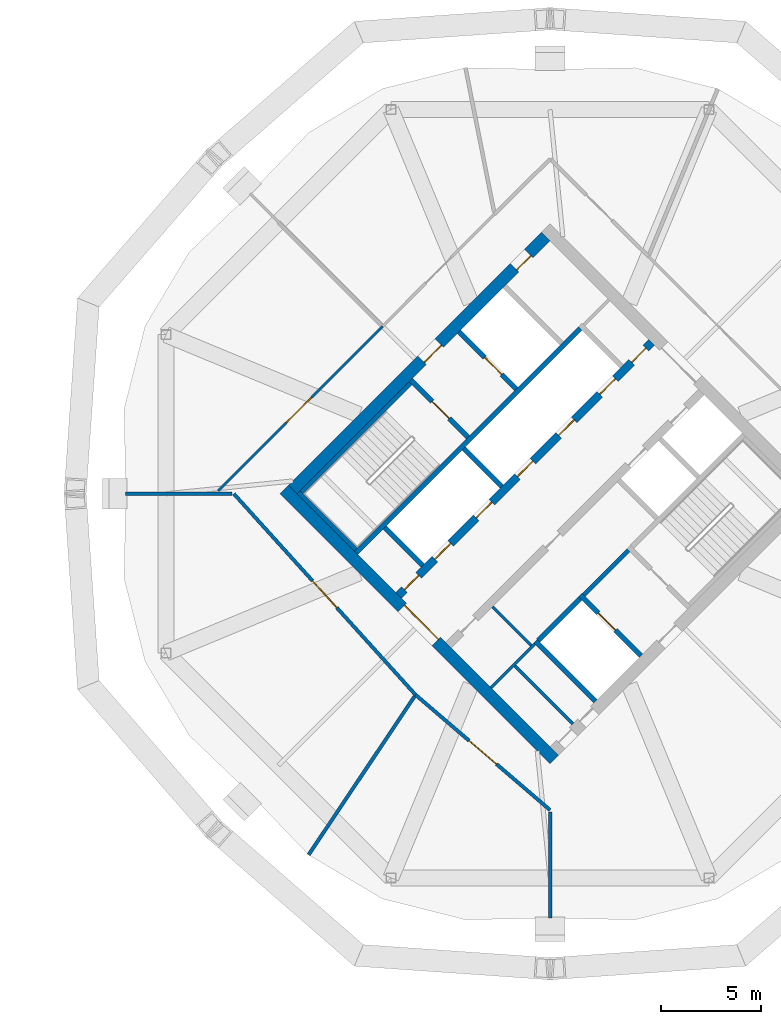
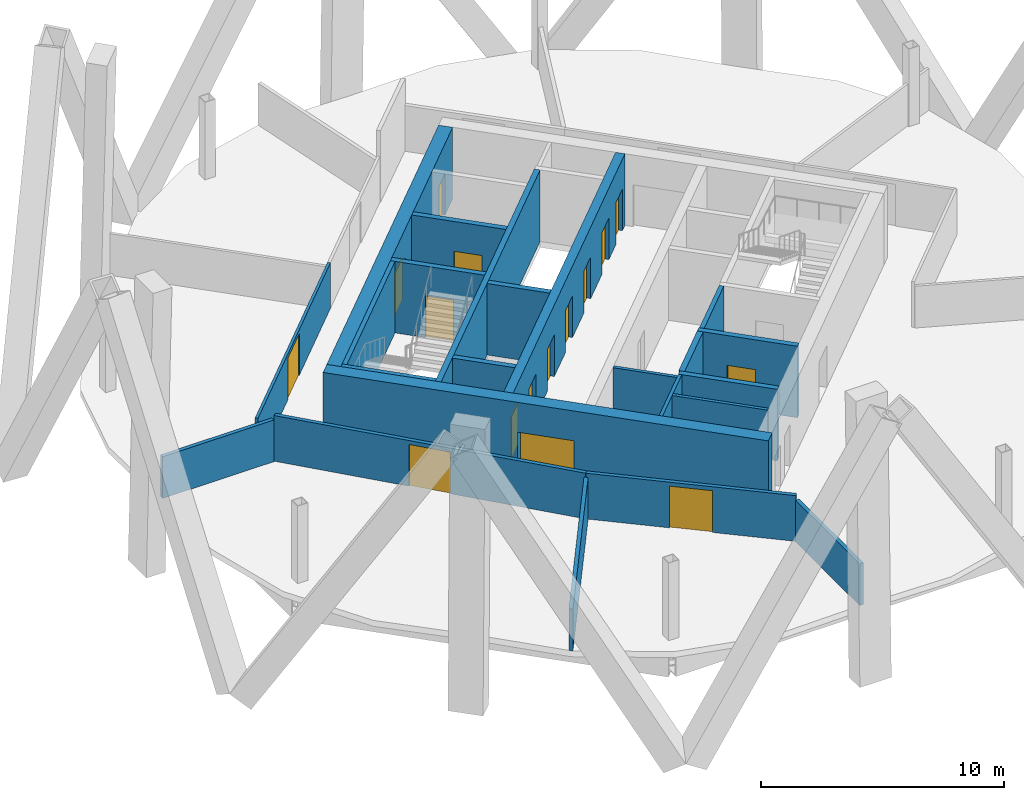
# One storey, part 6 of 10: 23 walls, 16 doors, 16 openings.
"""IFC4 building model written with IfcOpenShell, lengths in metres."""

from ifc_helpers import new_model, si_unit, direction, frame, frame_2d, origin, place, context, subcontext, project, spatial, rectangle, extrude, material, layer, layer_set, type_object, element, fill, save


model = new_model("IFC4")

# Units and contexts
model_context = context("Model", 3, precision=1e-05, world=origin(), true_north=direction((0.0, 1.0)))
body_context = subcontext(model_context, "Body", "Model", "MODEL_VIEW")
ifc_project = project(units=[si_unit("LENGTHUNIT", "METRE"), si_unit("AREAUNIT", "SQUARE_METRE"), si_unit("VOLUMEUNIT", "CUBIC_METRE"), si_unit("PLANEANGLEUNIT", "RADIAN"), si_unit("MASSUNIT", "GRAM", prefix="KILO")], contexts=[model_context])

# Site, building, storey
site_placement = place(None, origin())
site = spatial("IfcSite", under=ifc_project, at=site_placement, CompositionType="ELEMENT")
building_placement = place(site_placement, origin())
building = spatial("IfcBuilding", under=site, at=building_placement, Name="Ogive Gate Towers", CompositionType="ELEMENT")
storey_placement = place(building_placement, frame((0.0, 0.0, 204.60009765625)))
storey = spatial("IfcBuildingStorey", under=building, at=storey_placement, Name="L49", CompositionType="ELEMENT", Elevation=204.60009765625)

# Walls
ifc_material_1 = material(Name="Gypsum board acoustic partition")
ifc_layer_1 = layer(ifc_material_1, 0.175048828125)
ifc_layer_set_1 = layer_set([ifc_layer_1], Name="Acoustic partition 175")
wall_type_1 = type_object("IfcWallType", Name="Acoustic partition 175", PredefinedType="PARTITIONING", material=ifc_layer_set_1)
wall_1_placement = place(storey_placement, frame((14.881103515625, 0.0, 0.0), z_axis=(0.0, 0.0, 1.0), x_axis=(1.0, 0.0, 0.0)))
element("IfcWall", 1, at=wall_1_placement, inside=storey, type_object=wall_type_1, Name="Partition T2-L49-005", PredefinedType="PARTITIONING", context=body_context, shape_type="SweptSolid", body=[
    extrude(rectangle(XDim=5.29150390625, YDim=0.175048828125, at=frame_2d((2.645751953125, 0.0))), origin(), (0.0, 0.0, 1.0), 2.099853515625),
])
wall_2_placement = place(storey_placement, frame((23.98193359375, -17.971435546875, 0.0), z_axis=(0.0, 0.0, 1.0), x_axis=(0.555898649946, 0.831250077286, 0.0)))
element("IfcWall", 2, at=wall_2_placement, inside=storey, type_object=wall_type_1, Name="Partition T2-L49-006", PredefinedType="PARTITIONING", context=body_context, shape_type="SweptSolid", body=[
    extrude(rectangle(XDim=9.49169921875, YDim=0.175048828125, at=frame_2d((4.745849609375, 0.0))), origin(), (0.0, 0.0, 1.0), 2.099853515625),
])
wall_3_placement = place(storey_placement, frame((36.0, -21.118896484375, 0.0), z_axis=(0.0, 0.0, 1.0), x_axis=(0.0, 1.0, 0.0)))
element("IfcWall", 3, at=wall_3_placement, inside=storey, type_object=wall_type_1, Name="Partition T2-L49-007", PredefinedType="PARTITIONING", context=body_context, shape_type="SweptSolid", body=[
    extrude(rectangle(XDim=5.29150390625, YDim=0.175048828125, at=frame_2d((2.645751953125, 0.0))), origin(), (0.0, 0.0, 1.0), 2.099853515625),
])

# Wall, opening, door
wall_4_placement = place(storey_placement, frame((29.306884765625, -10.0087890625, 0.0), z_axis=(0.0, 0.0, 1.0), x_axis=(0.759579210601, -0.650414808275, 0.0)))
wall_4 = element("IfcWall", 4, at=wall_4_placement, inside=storey, type_object=wall_type_1, Name="Partition T2-L49-009", PredefinedType="PARTITIONING", context=body_context, shape_type="SweptSolid", body=[
    extrude(rectangle(XDim=8.8115234375, YDim=0.175048828125, at=frame_2d((4.40576171875, 0.0))), origin(), (0.0, 0.0, 1.0), 2.2998046875),
])
opening_1_placement = place(wall_4_placement, frame((3.506103515625, 0.0, 0.0)))
opening_1 = element("IfcOpeningElement", 5, at=opening_1_placement, cuts=wall_4, Name="Opening T2-L49-D01", PredefinedType="OPENING", context=body_context, shape_type="SweptSolid", body=[
    extrude(rectangle(XDim=1.800048828125, YDim=2.10009765625, at=frame_2d((0.89990234375, 1.050048828125))), frame((0.0, 0.09765625, 0.0), z_axis=(0.0, -1.0, 0.0), x_axis=(1.0, 0.0, 0.0)), (0.0, 0.0, 1.0), 0.195068359375),
])
ifc_material_2 = material(Name="Timber door", Category="wood")
door_type_1 = type_object("IfcDoorType", Name="Door pair 1800", OperationType="NOTDEFINED", PredefinedType="DOOR", material=ifc_material_2)
door_1_placement = place(opening_1_placement, origin())
door_1 = element("IfcDoor", 6, at=door_1_placement, inside=storey, type_object=door_type_1, Name="Door T2-L49-D01", OperationType="DOUBLE_DOOR_DOUBLE_SWING", OverallHeight=2.10009765625, OverallWidth=1.800048828125, PredefinedType="DOOR", context=body_context, shape_type="SweptSolid", body=[
    extrude(rectangle(XDim=1.800048828125, YDim=2.10009765625, at=frame_2d((0.89990234375, 1.050048828125))), frame((0.0, 0.02490234375, 0.0), z_axis=(0.0, -1.0, 0.0), x_axis=(1.0, 0.0, 0.0)), (0.0, 0.0, 1.0), 0.050048828125),
])
fill(opening_1, door_1)

wall_5_placement = place(storey_placement, frame((20.260009765625, 0.0, 0.0), z_axis=(0.0, 0.0, 1.0), x_axis=(0.670558821911, -0.741856365044, 0.0)))
wall_5 = element("IfcWall", 7, at=wall_5_placement, inside=storey, type_object=wall_type_1, Name="Partition T2-L49-017", PredefinedType="PARTITIONING", context=body_context, shape_type="SweptSolid", body=[
    extrude(rectangle(XDim=13.491455078125, YDim=0.175048828125, at=frame_2d((6.74560546875, 0.0))), origin(), (0.0, 0.0, 1.0), 2.2998046875),
])
opening_2_placement = place(wall_5_placement, frame((5.845947265625, 0.0, 0.0)))
opening_2 = element("IfcOpeningElement", 8, at=opening_2_placement, cuts=wall_5, Name="Opening T2-L49-D07", PredefinedType="OPENING", context=body_context, shape_type="SweptSolid", body=[
    extrude(rectangle(XDim=1.800048828125, YDim=2.10009765625, at=frame_2d((0.89990234375, 1.050048828125))), frame((0.0, 0.09765625, 0.0), z_axis=(0.0, -1.0, 0.0), x_axis=(1.0, 0.0, 0.0)), (0.0, 0.0, 1.0), 0.195068359375),
])
door_2_placement = place(opening_2_placement, origin())
door_2 = element("IfcDoor", 9, at=door_2_placement, inside=storey, type_object=door_type_1, Name="Door T2-L49-D07", OperationType="DOUBLE_DOOR_DOUBLE_SWING", OverallHeight=2.10009765625, OverallWidth=1.800048828125, PredefinedType="DOOR", context=body_context, shape_type="SweptSolid", body=[
    extrude(rectangle(XDim=1.800048828125, YDim=2.10009765625, at=frame_2d((0.89990234375, 1.050048828125))), frame((0.0, 0.02490234375, 0.0), z_axis=(0.0, -1.0, 0.0), x_axis=(1.0, 0.0, 0.0)), (0.0, 0.0, 1.0), 0.050048828125),
])
fill(opening_2, door_2)

# Wall
ifc_material_3 = material(Name="Masonry blockwork", Category="masonry")
ifc_layer_2 = layer(ifc_material_3, 0.199951171875)
ifc_layer_set_2 = layer_set([ifc_layer_2], Name="Blockwork wall 200 mm")
wall_type_2 = type_object("IfcWallType", Name="Blockwork wall 200 mm", PredefinedType="PARTITIONING", material=ifc_layer_set_2)
wall_6_placement = place(storey_placement, frame((37.679443359375, -5.0380859375, 0.0), z_axis=(0.0, 0.0, 1.0), x_axis=(0.707106781187, 0.707106781187, 0.0)))
element("IfcWall", 10, at=wall_6_placement, inside=storey, type_object=wall_type_2, Name="T2 L49 Blockwork wall 200 mm", PredefinedType="PARTITIONING", context=body_context, shape_type="SweptSolid", body=[
    extrude(rectangle(XDim=3.14990234375, YDim=0.199951171875, at=frame_2d((1.574951171875, 0.0))), origin(), (0.0, 0.0, 1.0), 3.599853515625),
])

# Wall, openings, doors
ifc_material_4 = material(Name="Concrete C60/75", Category="concrete")
ifc_layer_3 = layer(ifc_material_4, 0.60009765625)
ifc_layer_set_3 = layer_set([ifc_layer_3], Name="Core wall 600 mm")
wall_type_3 = type_object("IfcWallType", Name="Core wall 600 mm", PredefinedType="SHEAR", material=ifc_layer_set_3)
wall_7_placement = place(storey_placement, frame((23.201416015625, 0.212158203125, 0.0), z_axis=(0.0, 0.0, 1.0), x_axis=(0.707106781187, 0.707106781187, 0.0)))
wall_7 = element("IfcWall", 11, at=wall_7_placement, inside=storey, type_object=wall_type_3, Name="T2 L49 Core wall 600 mm", PredefinedType="SHEAR", context=body_context, shape_type="SweptSolid", body=[
    extrude(rectangle(XDim=17.7998046875, YDim=0.60009765625, at=frame_2d((8.89990234375, 0.0))), origin(), (0.0, 0.0, 1.0), 3.599853515625),
])
opening_3_placement = place(wall_7_placement, frame((9.10009765625, 0.0, 0.0)))
opening_3 = element("IfcOpeningElement", 12, at=opening_3_placement, cuts=wall_7, Name="Opening KD-T2-L49-18", PredefinedType="OPENING", context=body_context, shape_type="SweptSolid", body=[
    extrude(rectangle(XDim=1.199951171875, YDim=2.10009765625, at=frame_2d((0.60009765625, 1.050048828125))), frame((0.0, 0.31005859375, 0.0), z_axis=(0.0, -1.0, 0.0), x_axis=(1.0, 0.0, 0.0)), (0.0, 0.0, 1.0), 0.6201171875),
])
opening_4_placement = place(wall_7_placement, frame((15.60009765625, 0.0, 0.0)))
opening_4 = element("IfcOpeningElement", 13, at=opening_4_placement, cuts=wall_7, Name="Opening KD-T2-L49-20", PredefinedType="OPENING", context=body_context, shape_type="SweptSolid", body=[
    extrude(rectangle(XDim=1.0, YDim=2.10009765625, at=frame_2d((0.5, 1.050048828125))), frame((0.0, 0.31005859375, 0.0), z_axis=(0.0, -1.0, 0.0), x_axis=(1.0, 0.0, 0.0)), (0.0, 0.0, 1.0), 0.6201171875),
])
door_type_2 = type_object("IfcDoorType", Name="Accessible WC door 1000 x 2100", OperationType="NOTDEFINED", PredefinedType="DOOR", material=ifc_material_2)
door_3_placement = place(opening_4_placement, origin())
door_3 = element("IfcDoor", 14, at=door_3_placement, inside=storey, type_object=door_type_2, Name="T2 L49 Core door", OperationType="SINGLE_SWING_LEFT", OverallHeight=2.10009765625, OverallWidth=1.0, PredefinedType="DOOR", context=body_context, shape_type="SweptSolid", body=[
    extrude(rectangle(XDim=1.0, YDim=2.10009765625, at=frame_2d((0.5, 1.050048828125))), frame((0.0, -0.125, 0.0), z_axis=(0.0, -1.0, 0.0), x_axis=(1.0, 0.0, 0.0)), (0.0, 0.0, 1.0), 0.050048828125),
])
fill(opening_4, door_3)
ifc_material_5 = material(Name="Steel fire door", Category="steel")
door_type_3 = type_object("IfcDoorType", Name="Core door FD60S 1200 x 2100", OperationType="NOTDEFINED", PredefinedType="DOOR", material=ifc_material_5)
door_4_placement = place(opening_3_placement, origin())
door_4 = element("IfcDoor", 15, at=door_4_placement, inside=storey, type_object=door_type_3, Name="T2 L49 Fire-fighting lobby door", OperationType="SINGLE_SWING_LEFT", OverallHeight=2.10009765625, OverallWidth=1.199951171875, PredefinedType="DOOR", context=body_context, shape_type="SweptSolid", body=[
    extrude(rectangle(XDim=1.199951171875, YDim=2.10009765625, at=frame_2d((0.60009765625, 1.050048828125))), frame((0.0, -0.125, 0.0), z_axis=(0.0, -1.0, 0.0), x_axis=(1.0, 0.0, 0.0)), (0.0, 0.0, 1.0), 0.050048828125),
])
fill(opening_3, door_4)

# Wall, opening, door
wall_8_placement = place(storey_placement, frame((36.212158203125, -13.222900390625, 0.0), z_axis=(0.0, 0.0, 1.0), x_axis=(-0.707106781187, 0.707106781187, 0.0)))
wall_8 = element("IfcWall", 16, at=wall_8_placement, inside=storey, type_object=wall_type_3, Name="T2 L49 Core wall 600 mm", PredefinedType="SHEAR", context=body_context, shape_type="SweptSolid", body=[
    extrude(rectangle(XDim=19.0, YDim=0.60009765625, at=frame_2d((9.5, 0.0))), origin(), (0.0, 0.0, 1.0), 3.599853515625),
])
opening_5_placement = place(wall_8_placement, frame((8.300048828125, 0.0, 0.0)))
opening_5 = element("IfcOpeningElement", 17, at=opening_5_placement, cuts=wall_8, Name="Opening KD-T2-L49-01", PredefinedType="OPENING", context=body_context, shape_type="SweptSolid", body=[
    extrude(rectangle(XDim=2.39990234375, YDim=2.10009765625, at=frame_2d((1.199951171875, 1.050048828125))), frame((0.0, 0.31005859375, 0.0), z_axis=(0.0, -1.0, 0.0), x_axis=(1.0, 0.0, 0.0)), (0.0, 0.0, 1.0), 0.6201171875),
])
door_type_4 = type_object("IfcDoorType", Name="Core double door FD60S 2400 x 2100", OperationType="DOUBLE_DOOR_SINGLE_SWING", PredefinedType="DOOR", material=ifc_material_5)
door_5_placement = place(opening_5_placement, origin())
door_5 = element("IfcDoor", 18, at=door_5_placement, inside=storey, type_object=door_type_4, Name="T2 L49 Core door double", OperationType="DOUBLE_DOOR_SINGLE_SWING", OverallHeight=2.10009765625, OverallWidth=2.39990234375, PredefinedType="DOOR", context=body_context, shape_type="SweptSolid", body=[
    extrude(rectangle(XDim=2.39990234375, YDim=2.10009765625, at=frame_2d((1.199951171875, 1.050048828125))), frame((0.0, -0.125, 0.0), z_axis=(0.0, -1.0, 0.0), x_axis=(1.0, 0.0, 0.0)), (0.0, 0.0, 1.0), 0.050048828125),
])
fill(opening_5, door_5)

ifc_material_6 = material(Name="Gypsum board partition")
ifc_layer_4 = layer(ifc_material_6, 0.125)
ifc_layer_set_4 = layer_set([ifc_layer_4], Name="Partition 125")
wall_type_4 = type_object("IfcWallType", Name="Partition 125", PredefinedType="PARTITIONING", material=ifc_layer_set_4)
wall_9_placement = place(storey_placement, frame((27.6630859375, 8.3369140625, 0.0), z_axis=(0.0, 0.0, 1.0), x_axis=(-0.706495325454, -0.707717708632, 0.0)))
wall_9 = element("IfcWall", 19, at=wall_9_placement, inside=storey, type_object=wall_type_4, Name="Partition T2-L49-016", PredefinedType="PARTITIONING", context=body_context, shape_type="SweptSolid", body=[
    extrude(rectangle(XDim=11.583984375, YDim=0.125, at=frame_2d((5.7919921875, 0.0))), origin(), (0.0, 0.0, 1.0), 2.2998046875),
])
opening_6_placement = place(wall_9_placement, frame((4.989990234375, 0.0, 0.0)))
opening_6 = element("IfcOpeningElement", 20, at=opening_6_placement, cuts=wall_9, Name="Opening T2-L49-D06", PredefinedType="OPENING", context=body_context, shape_type="SweptSolid", body=[
    extrude(rectangle(XDim=1.800048828125, YDim=2.10009765625, at=frame_2d((0.89990234375, 1.050048828125))), frame((0.0, 0.072509765625, 0.0), z_axis=(0.0, -1.0, 0.0), x_axis=(1.0, 0.0, 0.0)), (0.0, 0.0, 1.0), 0.14501953125),
])
door_6_placement = place(opening_6_placement, origin())
door_6 = element("IfcDoor", 21, at=door_6_placement, inside=storey, type_object=door_type_1, Name="Door T2-L49-D06", OperationType="DOUBLE_DOOR_DOUBLE_SWING", OverallHeight=2.10009765625, OverallWidth=1.800048828125, PredefinedType="DOOR", context=body_context, shape_type="SweptSolid", body=[
    extrude(rectangle(XDim=1.800048828125, YDim=2.10009765625, at=frame_2d((0.89990234375, 1.050048828125))), frame((0.0, 0.02490234375, 0.0), z_axis=(0.0, -1.0, 0.0), x_axis=(1.0, 0.0, 0.0)), (0.0, 0.0, 1.0), 0.050048828125),
])
fill(opening_6, door_6)

# Walls
ifc_layer_5 = layer(ifc_material_6, 0.14990234375)
ifc_layer_set_5 = layer_set([ifc_layer_5], Name="Room partition 150 mm")
wall_type_5 = type_object("IfcWallType", Name="Room partition 150 mm", PredefinedType="PARTITIONING", material=ifc_layer_set_5)
wall_10_placement = place(storey_placement, frame((33.0654296875, -9.652099609375, 0.0), z_axis=(0.0, 0.0, 1.0), x_axis=(0.707146476181, 0.707067083964, 0.0)))
element("IfcWall", 22, at=wall_10_placement, inside=storey, type_object=wall_type_5, Name="T2 L49 Room partition 150 mm", PredefinedType="PARTITIONING", context=body_context, shape_type="SweptSolid", body=[
    extrude(rectangle(XDim=3.0751953125, YDim=0.14990234375, at=frame_2d((1.53759765625, 0.0))), origin(), (0.0, 0.0, 1.0), 3.599853515625),
])
wall_11_placement = place(storey_placement, frame((37.13134765625, -11.455078125, 0.0), z_axis=(0.0, 0.0, 1.0), x_axis=(-0.707106781187, 0.707106781187, 0.0)))
element("IfcWall", 23, at=wall_11_placement, inside=storey, type_object=wall_type_5, Name="T2 L49 Room partition 150 mm", PredefinedType="PARTITIONING", context=body_context, shape_type="SweptSolid", body=[
    extrude(rectangle(XDim=4.074951171875, YDim=0.14990234375, at=frame_2d((2.03759765625, 0.0))), origin(), (0.0, 0.0, 1.0), 3.599853515625),
])
wall_12_placement = place(storey_placement, frame((35.06298828125, -7.54833984375, 0.0), z_axis=(0.0, 0.0, 1.0), x_axis=(-0.707106781187, 0.707106781187, 0.0)))
element("IfcWall", 24, at=wall_12_placement, inside=storey, type_object=wall_type_5, Name="T2 L49 Room partition 150 mm", PredefinedType="PARTITIONING", context=body_context, shape_type="SweptSolid", body=[
    extrude(rectangle(XDim=2.724853515625, YDim=0.14990234375, at=frame_2d((1.3623046875, 0.0))), origin(), (0.0, 0.0, 1.0), 3.599853515625),
])
ifc_layer_6 = layer(ifc_material_4, 0.25)
ifc_layer_set_6 = layer_set([ifc_layer_6], Name="Shaft wall 250 mm")
wall_type_6 = type_object("IfcWallType", Name="Shaft wall 250 mm", PredefinedType="SHEAR", material=ifc_layer_set_6)
wall_13_placement = place(storey_placement, frame((35.41650390625, -7.30078125, 0.0), z_axis=(0.0, 0.0, 1.0), x_axis=(0.707148157867, 0.707065402085, 0.0)))
element("IfcWall", 25, at=wall_13_placement, inside=storey, type_object=wall_type_6, Name="T2 L49 Shaft wall 250 mm", PredefinedType="SHEAR", context=body_context, shape_type="SweptSolid", body=[
    extrude(rectangle(XDim=2.9501953125, YDim=0.25, at=frame_2d((1.47509765625, 0.0))), origin(), (0.0, 0.0, 1.0), 3.599853515625),
])
wall_14_placement = place(storey_placement, frame((26.347900390625, -2.9345703125, 0.0), z_axis=(0.0, 0.0, 1.0), x_axis=(0.707106781187, 0.707106781187, 0.0)))
element("IfcWall", 26, at=wall_14_placement, inside=storey, type_object=wall_type_6, Name="T2 L49 Shaft wall 250 mm", PredefinedType="SHEAR", context=body_context, shape_type="SweptSolid", body=[
    extrude(rectangle(XDim=15.775146484375, YDim=0.25, at=frame_2d((7.8876953125, 0.0))), origin(), (0.0, 0.0, 1.0), 3.599853515625),
])
wall_15_placement = place(storey_placement, frame((29.67138671875, -3.57080078125, 0.0), z_axis=(0.0, 0.0, 1.0), x_axis=(-0.707152414227, 0.707061145201, 0.0)))
element("IfcWall", 27, at=wall_15_placement, inside=storey, type_object=wall_type_6, Name="T2 L49 Shaft wall 250 mm", PredefinedType="SHEAR", context=body_context, shape_type="SweptSolid", body=[
    extrude(rectangle(XDim=2.675048828125, YDim=0.25, at=frame_2d((1.33740234375, 0.0))), origin(), (0.0, 0.0, 1.0), 3.599853515625),
])
wall_16_placement = place(storey_placement, frame((38.2626953125, -10.32373046875, 0.0), z_axis=(0.0, 0.0, 1.0), x_axis=(-0.707106781187, 0.707106781187, 0.0)))
element("IfcWall", 28, at=wall_16_placement, inside=storey, type_object=wall_type_6, Name="T2 L49 Shaft wall 250 mm", PredefinedType="SHEAR", context=body_context, shape_type="SweptSolid", body=[
    extrude(rectangle(XDim=4.22509765625, YDim=0.25, at=frame_2d((2.112548828125, 0.0))), origin(), (0.0, 0.0, 1.0), 3.599853515625),
])

# Wall, opening, door
wall_17_placement = place(storey_placement, frame((40.525390625, -8.06103515625, 0.0), z_axis=(0.0, 0.0, 1.0), x_axis=(-0.707078225638, 0.707135335582, 0.0)))
wall_17 = element("IfcWall", 29, at=wall_17_placement, inside=storey, type_object=wall_type_6, Name="T2 L49 Shaft wall 250 mm", PredefinedType="SHEAR", context=body_context, shape_type="SweptSolid", body=[
    extrude(rectangle(XDim=4.27490234375, YDim=0.25, at=frame_2d((2.137451171875, 0.0))), origin(), (0.0, 0.0, 1.0), 3.599853515625),
])
opening_7_placement = place(wall_17_placement, frame((1.800048828125, 0.0, 0.0)))
opening_7 = element("IfcOpeningElement", 30, at=opening_7_placement, cuts=wall_17, Name="Opening LD-T2-L49-13", PredefinedType="OPENING", context=body_context, shape_type="SweptSolid", body=[
    extrude(rectangle(XDim=1.199951171875, YDim=2.10009765625, at=frame_2d((0.60009765625, 1.050048828125))), frame((0.0, 0.135009765625, 0.0), z_axis=(0.0, -1.0, 0.0), x_axis=(1.0, 0.0, 0.0)), (0.0, 0.0, 1.0), 0.27001953125),
])
ifc_material_7 = material(Name="Stainless steel landing door", Category="steel")
door_type_5 = type_object("IfcDoorType", Name="Landing door 1200 x 2100", OperationType="SLIDING_TO_LEFT", PredefinedType="DOOR", material=ifc_material_7)
door_7_placement = place(opening_7_placement, origin())
door_7 = element("IfcDoor", 31, at=door_7_placement, inside=storey, type_object=door_type_5, Name="T2 L49 Lift landing door FF2", OperationType="SLIDING_TO_LEFT", OverallHeight=2.10009765625, OverallWidth=1.199951171875, PredefinedType="DOOR", context=body_context, shape_type="SweptSolid", body=[
    extrude(rectangle(XDim=1.199951171875, YDim=2.10009765625, at=frame_2d((0.60009765625, 1.050048828125))), frame((0.0, 0.02490234375, 0.0), z_axis=(0.0, -1.0, 0.0), x_axis=(1.0, 0.0, 0.0)), (0.0, 0.0, 1.0), 0.050048828125),
])
fill(opening_7, door_7)

# Wall
wall_18_placement = place(storey_placement, frame((33.595703125, 0.353515625, 0.0), z_axis=(0.0, 0.0, 1.0), x_axis=(-0.707061145201, 0.707152414227, 0.0)))
element("IfcWall", 32, at=wall_18_placement, inside=storey, type_object=wall_type_6, Name="T2 L49 Shaft wall 250 mm", PredefinedType="SHEAR", context=body_context, shape_type="SweptSolid", body=[
    extrude(rectangle(XDim=2.675048828125, YDim=0.25, at=frame_2d((1.33740234375, 0.0))), origin(), (0.0, 0.0, 1.0), 3.599853515625),
])

# Wall, opening, door
wall_19_placement = place(storey_placement, frame((31.91650390625, 2.810791015625, 0.0), z_axis=(0.0, 0.0, 1.0), x_axis=(-0.707106781187, 0.707106781187, 0.0)))
wall_19 = element("IfcWall", 33, at=wall_19_placement, inside=storey, type_object=wall_type_6, Name="T2 L49 Shaft wall 250 mm", PredefinedType="SHEAR", context=body_context, shape_type="SweptSolid", body=[
    extrude(rectangle(XDim=4.025146484375, YDim=0.25, at=frame_2d((2.0126953125, 0.0))), origin(), (0.0, 0.0, 1.0), 3.599853515625),
])
opening_8_placement = place(wall_19_placement, frame((1.324951171875, 0.0, 0.0)))
opening_8 = element("IfcOpeningElement", 34, at=opening_8_placement, cuts=wall_19, Name="Opening KD-T2-L49-16", PredefinedType="OPENING", context=body_context, shape_type="SweptSolid", body=[
    extrude(rectangle(XDim=1.199951171875, YDim=2.10009765625, at=frame_2d((0.60009765625, 1.050048828125))), frame((0.0, 0.135009765625, 0.0), z_axis=(0.0, -1.0, 0.0), x_axis=(1.0, 0.0, 0.0)), (0.0, 0.0, 1.0), 0.27001953125),
])
door_8_placement = place(opening_8_placement, origin())
door_8 = element("IfcDoor", 35, at=door_8_placement, inside=storey, type_object=door_type_3, Name="T2 L49 Stair door", OperationType="SINGLE_SWING_LEFT", OverallHeight=2.10009765625, OverallWidth=1.199951171875, PredefinedType="DOOR", context=body_context, shape_type="SweptSolid", body=[
    extrude(rectangle(XDim=1.199951171875, YDim=2.10009765625, at=frame_2d((0.60009765625, 1.050048828125))), frame((0.0, 0.02490234375, 0.0), z_axis=(0.0, -1.0, 0.0), x_axis=(1.0, 0.0, 0.0)), (0.0, 0.0, 1.0), 0.050048828125),
])
fill(opening_8, door_8)

wall_20_placement = place(storey_placement, frame((34.320556640625, 5.21484375, 0.0), z_axis=(0.0, 0.0, 1.0), x_axis=(-0.70707645213, 0.707137108942, 0.0)))
wall_20 = element("IfcWall", 36, at=wall_20_placement, inside=storey, type_object=wall_type_6, Name="T2 L49 Shaft wall 250 mm", PredefinedType="SHEAR", context=body_context, shape_type="SweptSolid", body=[
    extrude(rectangle(XDim=4.02490234375, YDim=0.25, at=frame_2d((2.012451171875, 0.0))), origin(), (0.0, 0.0, 1.0), 3.599853515625),
])
opening_9_placement = place(wall_20_placement, frame((1.02490234375, 0.0, 0.0)))
opening_9 = element("IfcOpeningElement", 37, at=opening_9_placement, cuts=wall_20, Name="Opening LD-T2-L49-12", PredefinedType="OPENING", context=body_context, shape_type="SweptSolid", body=[
    extrude(rectangle(XDim=1.199951171875, YDim=2.10009765625, at=frame_2d((0.60009765625, 1.050048828125))), frame((0.0, 0.135009765625, 0.0), z_axis=(0.0, -1.0, 0.0), x_axis=(1.0, 0.0, 0.0)), (0.0, 0.0, 1.0), 0.27001953125),
])
door_9_placement = place(opening_9_placement, origin())
door_9 = element("IfcDoor", 38, at=door_9_placement, inside=storey, type_object=door_type_5, Name="T2 L49 Lift landing door FF1", OperationType="SLIDING_TO_LEFT", OverallHeight=2.10009765625, OverallWidth=1.199951171875, PredefinedType="DOOR", context=body_context, shape_type="SweptSolid", body=[
    extrude(rectangle(XDim=1.199951171875, YDim=2.10009765625, at=frame_2d((0.60009765625, 1.050048828125))), frame((0.0, 0.02490234375, 0.0), z_axis=(0.0, -1.0, 0.0), x_axis=(1.0, 0.0, 0.0)), (0.0, 0.0, 1.0), 0.050048828125),
])
fill(opening_9, door_9)

# Wall, openings, doors
ifc_layer_7 = layer(ifc_material_4, 0.39990234375)
ifc_layer_set_7 = layer_set([ifc_layer_7], Name="Spine wall 400 mm")
wall_type_7 = type_object("IfcWallType", Name="Spine wall 400 mm", PredefinedType="SHEAR", material=ifc_layer_set_7)
wall_21_placement = place(storey_placement, frame((28.46923828125, -5.055908203125, 0.0), z_axis=(0.0, 0.0, 1.0), x_axis=(0.707106781187, 0.707106781187, 0.0)))
wall_21 = element("IfcWall", 39, at=wall_21_placement, inside=storey, type_object=wall_type_7, Name="T2 L49 Spine wall 400 mm", PredefinedType="SHEAR", context=body_context, shape_type="SweptSolid", body=[
    extrude(rectangle(XDim=17.80029296875, YDim=0.39990234375, at=frame_2d((8.900146484375, 0.0))), origin(), (0.0, 0.0, 1.0), 3.599853515625),
])
opening_10_placement = place(wall_21_placement, frame((0.39990234375, 0.0, 0.0)))
opening_10 = element("IfcOpeningElement", 40, at=opening_10_placement, cuts=wall_21, Name="Opening KD-T2-L49-03", PredefinedType="OPENING", context=body_context, shape_type="SweptSolid", body=[
    extrude(rectangle(XDim=1.0, YDim=2.10009765625, at=frame_2d((0.5, 1.050048828125))), frame((0.0, 0.2099609375, 0.0), z_axis=(0.0, -1.0, 0.0), x_axis=(1.0, 0.0, 0.0)), (0.0, 0.0, 1.0), 0.419921875),
])
opening_11_placement = place(wall_21_placement, frame((2.550048828125, 0.0, 0.0)))
opening_11 = element("IfcOpeningElement", 41, at=opening_11_placement, cuts=wall_21, Name="Opening LD-T2-L49-04", PredefinedType="OPENING", context=body_context, shape_type="SweptSolid", body=[
    extrude(rectangle(XDim=1.10009765625, YDim=2.10009765625, at=frame_2d((0.550048828125, 1.050048828125))), frame((0.0, 0.2099609375, 0.0), z_axis=(0.0, -1.0, 0.0), x_axis=(1.0, 0.0, 0.0)), (0.0, 0.0, 1.0), 0.419921875),
])
opening_12_placement = place(wall_21_placement, frame((5.449951171875, 0.0, 0.0)))
opening_12 = element("IfcOpeningElement", 42, at=opening_12_placement, cuts=wall_21, Name="Opening LD-T2-L49-05", PredefinedType="OPENING", context=body_context, shape_type="SweptSolid", body=[
    extrude(rectangle(XDim=1.10009765625, YDim=2.10009765625, at=frame_2d((0.550048828125, 1.050048828125))), frame((0.0, 0.2099609375, 0.0), z_axis=(0.0, -1.0, 0.0), x_axis=(1.0, 0.0, 0.0)), (0.0, 0.0, 1.0), 0.419921875),
])
opening_13_placement = place(wall_21_placement, frame((8.35009765625, 0.0, 0.0)))
opening_13 = element("IfcOpeningElement", 43, at=opening_13_placement, cuts=wall_21, Name="Opening LD-T2-L49-06", PredefinedType="OPENING", context=body_context, shape_type="SweptSolid", body=[
    extrude(rectangle(XDim=1.10009765625, YDim=2.10009765625, at=frame_2d((0.550048828125, 1.050048828125))), frame((0.0, 0.2099609375, 0.0), z_axis=(0.0, -1.0, 0.0), x_axis=(1.0, 0.0, 0.0)), (0.0, 0.0, 1.0), 0.419921875),
])
opening_14_placement = place(wall_21_placement, frame((11.25, 0.0, 0.0)))
opening_14 = element("IfcOpeningElement", 44, at=opening_14_placement, cuts=wall_21, Name="Opening LD-T2-L49-07", PredefinedType="OPENING", context=body_context, shape_type="SweptSolid", body=[
    extrude(rectangle(XDim=1.10009765625, YDim=2.10009765625, at=frame_2d((0.550048828125, 1.050048828125))), frame((0.0, 0.2099609375, 0.0), z_axis=(0.0, -1.0, 0.0), x_axis=(1.0, 0.0, 0.0)), (0.0, 0.0, 1.0), 0.419921875),
])
opening_15_placement = place(wall_21_placement, frame((14.14990234375, 0.0, 0.0)))
opening_15 = element("IfcOpeningElement", 45, at=opening_15_placement, cuts=wall_21, Name="Opening LD-T2-L49-08", PredefinedType="OPENING", context=body_context, shape_type="SweptSolid", body=[
    extrude(rectangle(XDim=1.10009765625, YDim=2.10009765625, at=frame_2d((0.550048828125, 1.050048828125))), frame((0.0, 0.2099609375, 0.0), z_axis=(0.0, -1.0, 0.0), x_axis=(1.0, 0.0, 0.0)), (0.0, 0.0, 1.0), 0.419921875),
])
opening_16_placement = place(wall_21_placement, frame((16.39990234375, 0.0, 0.0)))
opening_16 = element("IfcOpeningElement", 46, at=opening_16_placement, cuts=wall_21, Name="Opening KD-T2-L49-09", PredefinedType="OPENING", context=body_context, shape_type="SweptSolid", body=[
    extrude(rectangle(XDim=1.0, YDim=2.10009765625, at=frame_2d((0.5, 1.050048828125))), frame((0.0, 0.2099609375, 0.0), z_axis=(0.0, -1.0, 0.0), x_axis=(1.0, 0.0, 0.0)), (0.0, 0.0, 1.0), 0.419921875),
])
door_type_6 = type_object("IfcDoorType", Name="Core door FD60S 1000 x 2100", OperationType="NOTDEFINED", PredefinedType="DOOR", material=ifc_material_5)
door_10_placement = place(opening_10_placement, origin())
door_10 = element("IfcDoor", 47, at=door_10_placement, inside=storey, type_object=door_type_6, Name="T2 L49 Core door", OperationType="SINGLE_SWING_RIGHT", OverallHeight=2.10009765625, OverallWidth=1.0, PredefinedType="DOOR", context=body_context, shape_type="SweptSolid", body=[
    extrude(rectangle(XDim=1.0, YDim=2.10009765625, at=frame_2d((0.5, 1.050048828125))), frame((0.0, 0.02490234375, 0.0), z_axis=(0.0, -1.0, 0.0), x_axis=(1.0, 0.0, 0.0)), (0.0, 0.0, 1.0), 0.050048828125),
])
fill(opening_10, door_10)
door_11_placement = place(opening_16_placement, origin())
door_11 = element("IfcDoor", 48, at=door_11_placement, inside=storey, type_object=door_type_6, Name="T2 L49 Core door", OperationType="SINGLE_SWING_RIGHT", OverallHeight=2.10009765625, OverallWidth=1.0, PredefinedType="DOOR", context=body_context, shape_type="SweptSolid", body=[
    extrude(rectangle(XDim=1.0, YDim=2.10009765625, at=frame_2d((0.5, 1.050048828125))), frame((0.0, 0.02490234375, 0.0), z_axis=(0.0, -1.0, 0.0), x_axis=(1.0, 0.0, 0.0)), (0.0, 0.0, 1.0), 0.050048828125),
])
fill(opening_16, door_11)
door_type_7 = type_object("IfcDoorType", Name="Landing door 1100 x 2100", OperationType="SLIDING_TO_LEFT", PredefinedType="DOOR", material=ifc_material_7)
door_12_placement = place(opening_11_placement, origin())
door_12 = element("IfcDoor", 49, at=door_12_placement, inside=storey, type_object=door_type_7, Name="T2 L49 Lift landing door B1", OperationType="SLIDING_TO_LEFT", OverallHeight=2.10009765625, OverallWidth=1.10009765625, PredefinedType="DOOR", context=body_context, shape_type="SweptSolid", body=[
    extrude(rectangle(XDim=1.10009765625, YDim=2.10009765625, at=frame_2d((0.550048828125, 1.050048828125))), frame((0.0, 0.02490234375, 0.0), z_axis=(0.0, -1.0, 0.0), x_axis=(1.0, 0.0, 0.0)), (0.0, 0.0, 1.0), 0.050048828125),
])
fill(opening_11, door_12)
door_13_placement = place(opening_12_placement, origin())
door_13 = element("IfcDoor", 50, at=door_13_placement, inside=storey, type_object=door_type_7, Name="T2 L49 Lift landing door B2", OperationType="SLIDING_TO_LEFT", OverallHeight=2.10009765625, OverallWidth=1.10009765625, PredefinedType="DOOR", context=body_context, shape_type="SweptSolid", body=[
    extrude(rectangle(XDim=1.10009765625, YDim=2.10009765625, at=frame_2d((0.550048828125, 1.050048828125))), frame((0.0, 0.02490234375, 0.0), z_axis=(0.0, -1.0, 0.0), x_axis=(1.0, 0.0, 0.0)), (0.0, 0.0, 1.0), 0.050048828125),
])
fill(opening_12, door_13)
door_14_placement = place(opening_13_placement, origin())
door_14 = element("IfcDoor", 51, at=door_14_placement, inside=storey, type_object=door_type_7, Name="T2 L49 Lift landing door B3", OperationType="SLIDING_TO_LEFT", OverallHeight=2.10009765625, OverallWidth=1.10009765625, PredefinedType="DOOR", context=body_context, shape_type="SweptSolid", body=[
    extrude(rectangle(XDim=1.10009765625, YDim=2.10009765625, at=frame_2d((0.550048828125, 1.050048828125))), frame((0.0, 0.02490234375, 0.0), z_axis=(0.0, -1.0, 0.0), x_axis=(1.0, 0.0, 0.0)), (0.0, 0.0, 1.0), 0.050048828125),
])
fill(opening_13, door_14)
door_15_placement = place(opening_14_placement, origin())
door_15 = element("IfcDoor", 52, at=door_15_placement, inside=storey, type_object=door_type_7, Name="T2 L49 Lift landing door B4", OperationType="SLIDING_TO_LEFT", OverallHeight=2.10009765625, OverallWidth=1.10009765625, PredefinedType="DOOR", context=body_context, shape_type="SweptSolid", body=[
    extrude(rectangle(XDim=1.10009765625, YDim=2.10009765625, at=frame_2d((0.550048828125, 1.050048828125))), frame((0.0, 0.02490234375, 0.0), z_axis=(0.0, -1.0, 0.0), x_axis=(1.0, 0.0, 0.0)), (0.0, 0.0, 1.0), 0.050048828125),
])
fill(opening_14, door_15)
door_16_placement = place(opening_15_placement, origin())
door_16 = element("IfcDoor", 53, at=door_16_placement, inside=storey, type_object=door_type_7, Name="T2 L49 Lift landing door B5", OperationType="SLIDING_TO_LEFT", OverallHeight=2.10009765625, OverallWidth=1.10009765625, PredefinedType="DOOR", context=body_context, shape_type="SweptSolid", body=[
    extrude(rectangle(XDim=1.10009765625, YDim=2.10009765625, at=frame_2d((0.550048828125, 1.050048828125))), frame((0.0, 0.02490234375, 0.0), z_axis=(0.0, -1.0, 0.0), x_axis=(1.0, 0.0, 0.0)), (0.0, 0.0, 1.0), 0.050048828125),
])
fill(opening_15, door_16)

# Walls
ifc_layer_8 = layer(ifc_material_4, 0.199951171875)
ifc_layer_set_8 = layer_set([ifc_layer_8], Name="Stair wall 200 mm")
wall_type_8 = type_object("IfcWallType", Name="Stair wall 200 mm", PredefinedType="SHEAR", material=ifc_layer_set_8)
wall_22_placement = place(storey_placement, frame((23.62548828125, 0.07080078125, 0.0), z_axis=(0.0, 0.0, 1.0), x_axis=(0.707122685701, 0.707090876314, 0.0)))
element("IfcWall", 54, at=wall_22_placement, inside=storey, type_object=wall_type_8, Name="T2 L49 Stair wall 200 mm", PredefinedType="SHEAR", context=body_context, shape_type="SweptSolid", body=[
    extrude(rectangle(XDim=7.675048828125, YDim=0.199951171875, at=frame_2d((3.83740234375, 0.0))), origin(), (0.0, 0.0, 1.0), 3.599853515625),
])
wall_23_placement = place(storey_placement, frame((26.330322265625, -2.775390625, 0.0), z_axis=(0.0, 0.0, 1.0), x_axis=(-0.707106781187, 0.707106781187, 0.0)))
element("IfcWall", 55, at=wall_23_placement, inside=storey, type_object=wall_type_8, Name="T2 L49 Stair wall 200 mm", PredefinedType="SHEAR", context=body_context, shape_type="SweptSolid", body=[
    extrude(rectangle(XDim=4.025146484375, YDim=0.199951171875, at=frame_2d((2.0126953125, 0.0))), origin(), (0.0, 0.0, 1.0), 3.599853515625),
])

save(model, "model.ifc")
